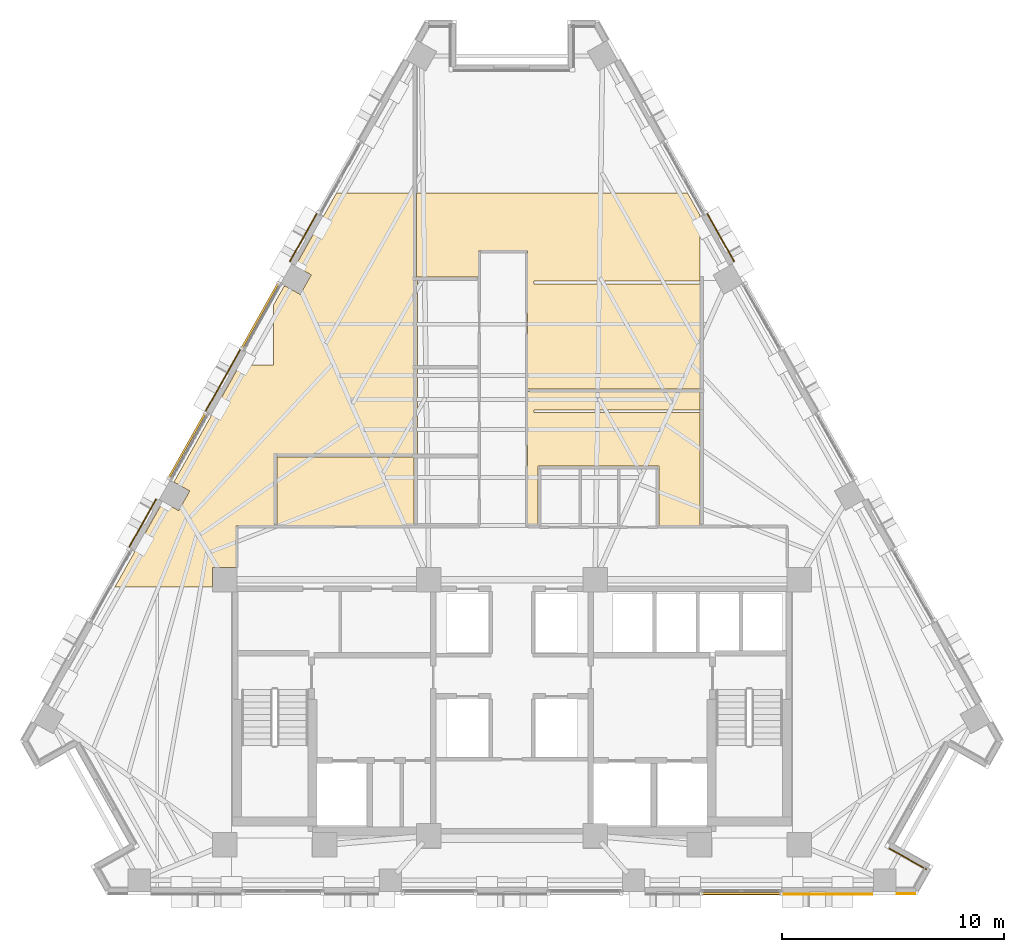
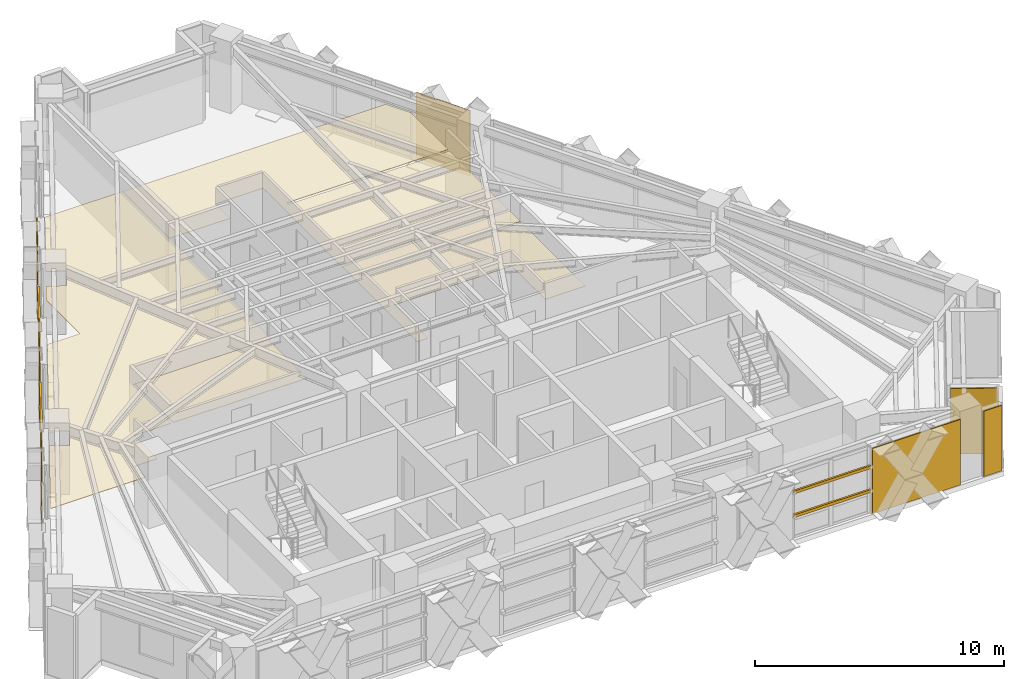
# One storey, part 12 of 14: 11 coverings, 6 shading devices.
"""IFC4 building model written with IfcOpenShell, lengths in metres."""

import ifcopenshell
import ifcopenshell.guid

model = None  # the IFC model being written
_history = None  # IfcOwnerHistory: only IFC2X3 demands one
_inside = {}  # id of a spatial element -> (the spatial element, [elements in it])
_under = {}  # id of a project, library or spatial element -> (it, [spatial elements below it])
_declared = {}  # id of a project -> (the project, [libraries it declares])
_typed = {}  # id of a type object -> (the type object, [elements of that type])
_made_of = {}  # id of a material, layer set ... -> (it, [elements and type objects made of it])


def new_model(schema):
    """Start an empty IFC model of exactly this schema.

    Asked for "IFC4X3", IfcOpenShell would pick the latest addendum, in which some entities
    have other attributes; the version numbers below select the first issue.
    IFC2X3 requires an IfcOwnerHistory on every rooted entity: one is made here for all.
    """
    global model, _history
    if schema == "IFC4X3":
        model = ifcopenshell.file(schema_version=(4, 3, 0, 0))
    else:
        model = ifcopenshell.file(schema=schema)
    _inside.clear()
    _under.clear()
    _declared.clear()
    _typed.clear()
    _made_of.clear()
    _history = None
    if model.schema == "IFC2X3":
        org = make("IfcOrganization", Name="unknown")
        user = make(
            "IfcPersonAndOrganization",
            ThePerson=make("IfcPerson", FamilyName="unknown"),
            TheOrganization=org,
        )
        app = make(
            "IfcApplication",
            ApplicationDeveloper=org,
            Version="unknown",
            ApplicationFullName="unknown",
            ApplicationIdentifier="unknown",
        )
        _history = make(
            "IfcOwnerHistory",
            OwningUser=user,
            OwningApplication=app,
            ChangeAction="ADDED",
            CreationDate=0,
        )
    return model


def make(cls, **values):
    """One entity of the class cls with the attributes given. An attribute that is None is left unset."""
    return model.create_entity(
        cls, **{name: value for name, value in values.items() if value is not None}
    )


def rooted(cls, **values):
    """An entity with a GlobalId (a new one), such as an element, a storey or a relation."""
    return make(cls, GlobalId=ifcopenshell.guid.new(), OwnerHistory=_history, **values)


def si_unit(unit_type, name, prefix=None):
    """IfcSIUnit, for example si_unit("LENGTHUNIT", "METRE", prefix="MILLI")."""
    return make("IfcSIUnit", UnitType=unit_type, Prefix=prefix, Name=name)


def assignment(units):
    """IfcUnitAssignment: the units of a project."""
    return None if units is None else make("IfcUnitAssignment", Units=units)


def point(xyz):
    """IfcCartesianPoint."""
    return None if xyz is None else make("IfcCartesianPoint", Coordinates=xyz)


def direction(xyz):
    """IfcDirection."""
    return None if xyz is None else make("IfcDirection", DirectionRatios=xyz)


def frame(location, z_axis=None, x_axis=None):
    """IfcAxis2Placement3D, a coordinate frame: its origin and axes. An axis left out is left unset."""
    return make(
        "IfcAxis2Placement3D",
        Location=point(location),
        Axis=direction(z_axis),
        RefDirection=direction(x_axis),
    )


def frame_2d(location, x_axis=None):
    """IfcAxis2Placement2D, a coordinate frame in the plane: its origin and x axis."""
    return make(
        "IfcAxis2Placement2D", Location=point(location), RefDirection=direction(x_axis)
    )


def origin():
    """The frame at (0, 0, 0) with its axes left unset."""
    return frame((0.0, 0.0, 0.0))


def origin_2d():
    """The frame at (0, 0) in the plane with its x axis left unset."""
    return frame_2d((0.0, 0.0))


def place(relative_to, where):
    """IfcLocalPlacement: puts the frame where relative to a parent placement (None: the world)."""
    return make(
        "IfcLocalPlacement", PlacementRelTo=relative_to, RelativePlacement=where
    )


def context(
    kind, dimensions, precision=None, world=None, true_north=None, identifier=None
):
    """IfcGeometricRepresentationContext, for example the 3D "Model" context."""
    return make(
        "IfcGeometricRepresentationContext",
        ContextIdentifier=identifier,
        ContextType=kind,
        CoordinateSpaceDimension=dimensions,
        Precision=precision,
        WorldCoordinateSystem=world,
        TrueNorth=true_north,
    )


def subcontext(parent, identifier, kind, view, scale=None):
    """IfcGeometricRepresentationSubContext, for example "Body" below "Model"."""
    return make(
        "IfcGeometricRepresentationSubContext",
        ContextIdentifier=identifier,
        ContextType=kind,
        ParentContext=parent,
        TargetScale=scale,
        TargetView=view,
    )


def project(units=None, contexts=None):
    """IfcProject with its units and contexts."""
    return rooted(
        "IfcProject",
        Name="project",
        RepresentationContexts=contexts,
        UnitsInContext=assignment(units),
    )


def spatial(cls, under=None, at=None, **own):
    """A site, building, storey or space (cls), placed at a placement, below another one or the project."""
    s = rooted(cls, ObjectPlacement=at, **own)
    if under is not None:
        _under.setdefault(under.id(), (under, []))[1].append(s)
    return s


def polyline(points):
    """IfcPolyline through the points."""
    return make("IfcPolyline", Points=[point(p) for p in points])


def profile(cls, at=None, kind="AREA", **sizes):
    """A parametric profile (cls). Its sizes go by their IFC names, for example OverallWidth=200.0."""
    return make(cls, ProfileType=kind, Position=at, **sizes)


def rectangle(**sizes):
    """IfcRectangleProfileDef."""
    return profile("IfcRectangleProfileDef", **sizes)


def outline(outer, holes=None, kind="AREA"):
    """IfcArbitraryClosedProfileDef: a profile drawn as a closed curve; with holes, ...WithVoids."""
    if holes is None:
        return make("IfcArbitraryClosedProfileDef", ProfileType=kind, OuterCurve=outer)
    return make(
        "IfcArbitraryProfileDefWithVoids",
        ProfileType=kind,
        OuterCurve=outer,
        InnerCurves=holes,
    )


def extrude(swept, where, along, depth):
    """IfcExtrudedAreaSolid: the profile swept, set in the frame where, extruded along a direction by depth."""
    return make(
        "IfcExtrudedAreaSolid",
        SweptArea=swept,
        Position=where,
        ExtrudedDirection=direction(along),
        Depth=depth,
    )


def shape(context_of_items, identifier, shape_type, items):
    """IfcShapeRepresentation: the items that make up one representation, for example the "Body"."""
    return make(
        "IfcShapeRepresentation",
        ContextOfItems=context_of_items,
        RepresentationIdentifier=identifier,
        RepresentationType=shape_type,
        Items=items,
    )


def material(Name=None, Category=None):
    """IfcMaterial."""
    return make("IfcMaterial", Name=Name, Category=Category)


def layer(
    of_material, thickness, ventilated=None, Name=None, Category=None, Priority=None
):
    """IfcMaterialLayer: one layer of a wall or slab, of a material (None: an air gap)."""
    return make(
        "IfcMaterialLayer",
        Material=of_material,
        LayerThickness=thickness,
        IsVentilated=ventilated,
        Name=Name,
        Category=Category,
        Priority=Priority,
    )


def layer_set(layers, Name=None):
    """IfcMaterialLayerSet."""
    return make("IfcMaterialLayerSet", MaterialLayers=layers, LayerSetName=Name)


def material_profile(
    of_material, cross_section, Name=None, Category=None, Priority=None
):
    """IfcMaterialProfile: a cross section and its material."""
    return make(
        "IfcMaterialProfile",
        Name=Name,
        Material=of_material,
        Profile=cross_section,
        Priority=Priority,
        Category=Category,
    )


def profile_set(profiles, Name=None, composite=None):
    """IfcMaterialProfileSet."""
    return make(
        "IfcMaterialProfileSet",
        Name=Name,
        MaterialProfiles=profiles,
        CompositeProfile=composite,
    )


def made_of(thing, what):
    """Note that an element or type object is made of a material, layer set ...; save() writes the relation."""
    if what is not None:
        _made_of.setdefault(what.id(), (what, []))[1].append(thing)
    return thing


def type_object(cls, material=None, **own):
    """A type object (cls), such as IfcWallType, which elements share."""
    return made_of(rooted(cls, **own), material)


def element(
    cls,
    number,
    at=None,
    inside=None,
    cuts=None,
    type_object=None,
    material=None,
    context=None,
    identifier="Body",
    shape_type=None,
    held_by="IfcProductDefinitionShape",
    body=None,
    shapes=None,
    **own,
):
    """One element of the class cls, such as IfcWall. Its Tag is "e" and its number.

    at: its placement. inside: the storey or other place that contains it. cuts: it is an
    opening in that element (IfcRelVoidsElement). A single representation is given by context,
    identifier, shape_type and body (its items); several are given by shapes. held_by: the class
    of the entity that holds the representations. save() writes the other relations.
    """
    e = rooted(cls, Tag="e%d" % number, ObjectPlacement=at, **own)
    if body is not None:
        shapes = [shape(context, identifier, shape_type, body)]
    if shapes is not None:
        e.Representation = make(held_by, Representations=shapes)
    if inside is not None:
        _inside.setdefault(inside.id(), (inside, []))[1].append(e)
    if cuts is not None:
        rooted(
            "IfcRelVoidsElement", RelatingBuildingElement=cuts, RelatedOpeningElement=e
        )
    if type_object is not None:
        _typed.setdefault(type_object.id(), (type_object, []))[1].append(e)
    return made_of(e, material)


def aggregate(whole, parts):
    """IfcRelAggregates: a whole, such as a stair, and the parts it consists of."""
    return rooted("IfcRelAggregates", RelatingObject=whole, RelatedObjects=parts)


def save(model, path):
    """Write the relations noted so far, then the file.

    IfcRelAggregates (storeys below a building ...), IfcRelContainedInSpatialStructure (elements
    in a storey), IfcRelDefinesByType, IfcRelAssociatesMaterial and IfcRelDeclares: one each for
    every whole, place, type object, material and project.
    """
    for whole, parts in _under.values():
        aggregate(whole, parts)
    for where, things in _inside.values():
        rooted(
            "IfcRelContainedInSpatialStructure",
            RelatedElements=things,
            RelatingStructure=where,
        )
    for kind, things in _typed.values():
        rooted("IfcRelDefinesByType", RelatedObjects=things, RelatingType=kind)
    for what, things in _made_of.values():
        rooted("IfcRelAssociatesMaterial", RelatedObjects=things, RelatingMaterial=what)
    for by, libraries in _declared.values():
        rooted("IfcRelDeclares", RelatingContext=by, RelatedDefinitions=libraries)
    model.write(path)


model = new_model("IFC4")

# Units and contexts
model_context = context("Model", 3, precision=1e-05, world=origin(), true_north=direction((0.0, 1.0)))
body_context = subcontext(model_context, "Body", "Model", "MODEL_VIEW")
ifc_project = project(units=[si_unit("LENGTHUNIT", "METRE"), si_unit("AREAUNIT", "SQUARE_METRE"), si_unit("VOLUMEUNIT", "CUBIC_METRE"), si_unit("PLANEANGLEUNIT", "RADIAN"), si_unit("MASSUNIT", "GRAM", prefix="KILO")], contexts=[model_context])

# Site, building, storey
site_placement = place(None, origin())
site = spatial("IfcSite", under=ifc_project, at=site_placement, CompositionType="ELEMENT")
building_placement = place(site_placement, origin())
building = spatial("IfcBuilding", under=site, at=building_placement, Name="Quenlor Broadcast Tower", CompositionType="ELEMENT")
storey_placement = place(building_placement, frame((0.0, 0.0, 144.0)))
storey = spatial("IfcBuildingStorey", under=building, at=storey_placement, Name="L39", CompositionType="ELEMENT", Elevation=144.0)

# Coverings
ifc_material_1 = material(Name="Acoustic Mineral Fibre Board", Category="other")
ifc_layer_1 = layer(ifc_material_1, 0.02490234375)
ifc_layer_set_1 = layer_set([ifc_layer_1], Name="Acoustic Perforated Mineral Tile Ceiling 25")
covering_type_1 = type_object("IfcCoveringType", Name="Acoustic Perforated Mineral Tile Ceiling 25", PredefinedType="CEILING", material=ifc_layer_set_1)
covering_1_placement = place(storey_placement, frame((0.0, 0.0, 2.375)))
element("IfcCovering", 1, at=covering_1_placement, inside=storey, type_object=covering_type_1, Name="L39 Acoustic Ceiling L39-28", PredefinedType="CEILING", context=body_context, shape_type="SweptSolid", body=[
    extrude(outline(polyline([(8.47998046875, 11.630859375), (8.47998046875, 8.659912109375), (1.0, 8.659912109375), (1.0, 8.5400390625), (8.47998046875, 8.5400390625), (8.47998046875, 3.81005859375), (0.699951171875, 3.81005859375), (0.699951171875, 10.030029296875), (-1.5, 10.030029296875), (-1.5, 8.860107421875), (-4.300048828125, 8.860107421875), (-4.300048828125, 12.64990234375), (7.90673828125, 12.64990234375), (8.47998046875, 11.630859375)])), origin(), (0.0, 0.0, 1.0), 0.02490234375),
])
covering_2_placement = place(storey_placement, frame((0.0, 0.0, 2.375)))
element("IfcCovering", 2, at=covering_2_placement, inside=storey, type_object=covering_type_1, Name="L39 Acoustic Ceiling L39-31", PredefinedType="CEILING", context=body_context, shape_type="SweptSolid", body=[
    extrude(outline(polyline([(8.47998046875, 2.739990234375), (8.47998046875, -2.3701171875), (6.6201171875, -2.3701171875), (6.6201171875, 0.320068359375), (1.179931640625, 0.320068359375), (1.179931640625, -2.3701171875), (0.699951171875, -2.3701171875), (0.699951171875, 3.68994140625), (8.47998046875, 3.68994140625), (8.47998046875, 2.860107421875), (1.0, 2.860107421875), (1.0, 2.739990234375), (8.47998046875, 2.739990234375)])), origin(), (0.0, 0.0, 1.0), 0.02490234375),
])
covering_3_placement = place(storey_placement, frame((0.0, 0.0, 2.375)))
element("IfcCovering", 3, at=covering_3_placement, inside=storey, type_object=covering_type_1, Name="L39 Acoustic Ceiling L39-32", PredefinedType="CEILING", context=body_context, shape_type="SweptSolid", body=[
    extrude(outline(polyline([(-4.419921875, -2.3701171875), (-10.60009765625, -2.3701171875), (-10.60009765625, 0.739990234375), (-4.419921875, 0.739990234375), (-4.419921875, -2.3701171875)])), origin(), (0.0, 0.0, 1.0), 0.02490234375),
])
covering_4_placement = place(storey_placement, frame((0.0, 0.0, 2.375)))
element("IfcCovering", 4, at=covering_4_placement, inside=storey, type_object=covering_type_1, Name="L39 Acoustic Ceiling L39-34", PredefinedType="CEILING", context=body_context, shape_type="SweptSolid", body=[
    extrude(outline(polyline([(-4.281494140625, 8.802490234375), (-4.276611328125, 8.783447265625), (-4.270751953125, 8.754638671875), (-4.27001953125, 4.860107421875), (-4.27294921875, 4.830810546875), (-4.281494140625, 4.802490234375), (-4.276611328125, 4.783447265625), (-4.270751953125, 4.754638671875), (-4.27001953125, 0.860107421875), (-4.27294921875, 0.830810546875), (-4.281494140625, 0.802490234375), (-4.29541015625, 0.776611328125), (-4.31396484375, 0.75390625), (-4.336669921875, 0.7353515625), (-4.362548828125, 0.721435546875), (-4.390625, 0.712890625), (-4.419921875, 0.7099609375), (-10.60009765625, 0.7099609375), (-10.62939453125, 0.712890625), (-10.657470703125, 0.721435546875), (-10.676513671875, 0.716552734375), (-10.705322265625, 0.710693359375), (-10.719970703125, -2.3701171875), (-12.43994140625, -2.3701171875), (-12.43994140625, -4.241943359375), (-13.508056640625, -4.241943359375), (-13.508056640625, -5.1201171875), (-15.93994140625, -5.1201171875), (-16.06005859375, -5.1201171875), (-17.90234375, -5.1201171875), (-15.7431640625, -1.281494140625), (-15.0302734375, -1.6826171875), (-14.5322265625, -0.797119140625), (-15.2451171875, -0.39599609375), (-12.271728515625, 4.889892578125), (-10.75, 4.889892578125), (-10.75, 7.595458984375), (-10.26220703125, 8.46240234375), (-9.54931640625, 8.0615234375), (-9.05126953125, 8.947021484375), (-9.76416015625, 9.347900390625), (-7.90673828125, 12.64990234375), (-4.27001953125, 12.64990234375), (-4.27001953125, 8.860107421875), (-4.27294921875, 8.830810546875), (-4.281494140625, 8.802490234375)])), origin(), (0.0, 0.0, 1.0), 0.02490234375),
])

# Shading devices
ifc_material_2 = material(Name="Architectural Terracotta Ceramic", Category="masonry")
ifc_material_profile = material_profile(ifc_material_2, rectangle(XDim=0.090087890625, YDim=0.139892578125, at=origin_2d()))
ifc_profile_set = profile_set([ifc_material_profile], Name="Architectural Terracotta Ceramic BAG90x140")
shading_device_type = type_object("IfcShadingDeviceType", Name="Copper Terracotta Baguette Solar Screen 140", PredefinedType="USERDEFINED", material=ifc_profile_set)
for number, where, z_axis, x_axis, name in (
    (5, (12.114013671875, -18.952880859375, 1.169921875), (-1.0, 0.0, 0.0), (0.0, -1.0, 0.0), "L39 Terracotta Baguette Screen 1"),
    (6, (12.114013671875, -18.952880859375, 2.340087890625), (-1.0, 0.0, 0.0), (0.0, -1.0, 0.0), "L39 Terracotta Baguette Screen 2"),
):
    element("IfcShadingDevice", number, at=place(storey_placement, frame(where, z_axis=z_axis, x_axis=x_axis)), inside=storey, type_object=shading_device_type, Name=name, ObjectType="BAGUETTE", PredefinedType="USERDEFINED", context=body_context, shape_type="SweptSolid", body=[
        extrude(rectangle(XDim=0.090087890625, YDim=0.139892578125, at=origin_2d()), origin(), (0.0, 0.0, 1.0), 3.56396484375),
    ])
for number, where, z_axis, x_axis, name in (
    (7, (-15.4775390625, -0.211181640625, 1.169921875), (0.490288918116, 0.871559967399, 0.0), (-0.871559967399, 0.490288918116, 0.0), "L39 Terracotta Baguette Screen 1"),
    (8, (-15.4775390625, -0.211181640625, 2.340087890625), (0.490288918116, 0.871559967399, 0.0), (-0.871559967399, 0.490288918116, 0.0), "L39 Terracotta Baguette Screen 2"),
    (9, (-12.18310546875, 5.64501953125, 1.169921875), (0.490257780007, 0.871577483155, 0.0), (-0.871577483155, 0.490257780007, 0.0), "L39 Terracotta Baguette Screen 1"),
    (10, (-12.18310546875, 5.64501953125, 2.340087890625), (0.490257780007, 0.871577483155, 0.0), (-0.871577483155, 0.490257780007, 0.0), "L39 Terracotta Baguette Screen 2"),
):
    element("IfcShadingDevice", number, at=place(storey_placement, frame(where, z_axis=z_axis, x_axis=x_axis)), inside=storey, type_object=shading_device_type, Name=name, ObjectType="BAGUETTE", PredefinedType="USERDEFINED", context=body_context, shape_type="SweptSolid", body=[
        extrude(rectangle(XDim=0.090087890625, YDim=0.139892578125, at=origin_2d()), origin(), (0.0, 0.0, 1.0), 3.350341796875),
    ])

# Coverings
ifc_material_3 = material(Name="Architectural Terracotta Ceramic", Category="masonry")
ifc_layer_2 = layer(ifc_material_3, 0.044921875)
ifc_layer_set_2 = layer_set([ifc_layer_2], Name="Fluted Terracotta Rainscreen Cladding Panel")
covering_type_2 = type_object("IfcCoveringType", Name="Fluted Terracotta Rainscreen Cladding Panel", PredefinedType="CLADDING", material=ifc_layer_set_2)
covering_5_placement = place(storey_placement, frame((0.0, 0.0, 0.02001953125)))
element("IfcCovering", 11, at=covering_5_placement, inside=storey, type_object=covering_type_2, Name="L39 Terracotta Rainscreen Cladding L39-SHD-SS0", PredefinedType="CLADDING", context=body_context, shape_type="SweptSolid", body=[
    extrude(outline(polyline([(18.179931640625, -18.93701171875), (17.343505859375, -18.93701171875), (17.343505859375, -18.98193359375), (18.179931640625, -18.98193359375), (18.179931640625, -18.93701171875)])), origin(), (0.0, 0.0, 1.0), 3.2099609375),
])
covering_6_placement = place(storey_placement, frame((0.0, 0.0, 0.02001953125)))
element("IfcCovering", 12, at=covering_6_placement, inside=storey, type_object=covering_type_2, Name="L39 Terracotta Rainscreen Cladding L39-SA-SP1", PredefinedType="CLADDING", context=body_context, shape_type="SweptSolid", body=[
    extrude(outline(polyline([(16.25341796875, -18.95703125), (12.178955078125, -18.95703125), (12.178955078125, -19.001953125), (16.25341796875, -19.001953125), (16.25341796875, -18.95703125)])), origin(), (0.0, 0.0, 1.0), 3.2099609375),
])
covering_7_placement = place(storey_placement, frame((0.0, 0.0, 0.02001953125)))
element("IfcCovering", 13, at=covering_7_placement, inside=storey, type_object=covering_type_2, Name="L39 Terracotta Rainscreen Cladding L39-NEA-SP2", PredefinedType="CLADDING", context=body_context, shape_type="SweptSolid", body=[
    extrude(outline(polyline([(8.7705078125, 11.720458984375), (10.0, 9.53466796875), (10.039306640625, 9.556640625), (8.809814453125, 11.742431640625), (8.7705078125, 11.720458984375)])), origin(), (0.0, 0.0, 1.0), 3.2099609375),
])
covering_8_placement = place(storey_placement, frame((0.0, 0.0, 0.02001953125)))
element("IfcCovering", 14, at=covering_8_placement, inside=storey, type_object=covering_type_2, Name="L39 Terracotta Rainscreen Cladding L39-NWA-SP2", PredefinedType="CLADDING", context=body_context, shape_type="SweptSolid", body=[
    extrude(outline(polyline([(-17.254638671875, -3.362548828125), (-16.025146484375, -1.1767578125), (-16.064453125, -1.15478515625), (-17.2939453125, -3.340576171875), (-17.254638671875, -3.362548828125)])), origin(), (0.0, 0.0, 1.0), 3.2099609375),
])
covering_9_placement = place(storey_placement, frame((0.0, 0.0, 0.02001953125)))
element("IfcCovering", 15, at=covering_9_placement, inside=storey, type_object=covering_type_2, Name="L39 Terracotta Rainscreen Cladding L39-NWC-SP1", PredefinedType="CLADDING", context=body_context, shape_type="SweptSolid", body=[
    extrude(outline(polyline([(-10.0, 9.53466796875), (-8.7705078125, 11.720458984375), (-8.809814453125, 11.742431640625), (-10.039306640625, 9.556640625), (-10.0, 9.53466796875)])), origin(), (0.0, 0.0, 1.0), 3.2099609375),
])
covering_10_placement = place(storey_placement, frame((0.0, 0.0, 0.02001953125)))
element("IfcCovering", 16, at=covering_10_placement, inside=storey, type_object=covering_type_2, Name="L39 Terracotta Rainscreen Cladding L39-NW-SP1", PredefinedType="CLADDING", context=body_context, shape_type="SweptSolid", body=[
    extrude(outline(polyline([(-13.806396484375, 2.767333984375), (-12.218505859375, 5.59033203125), (-12.2578125, 5.6123046875), (-13.845703125, 2.789306640625), (-13.806396484375, 2.767333984375)])), origin(), (0.0, 0.0, 1.0), 3.2099609375),
])
covering_11_placement = place(storey_placement, frame((0.0, 0.0, 0.02001953125)))
element("IfcCovering", 17, at=covering_11_placement, inside=storey, type_object=covering_type_2, Name="L39 Terracotta Rainscreen Cladding L39-CNR-01", PredefinedType="CLADDING", context=body_context, shape_type="SweptSolid", body=[
    extrude(outline(polyline([(18.702880859375, -17.8427734375), (17.011962890625, -16.8916015625), (16.989990234375, -16.930908203125), (18.680908203125, -17.882080078125), (18.702880859375, -17.8427734375)])), origin(), (0.0, 0.0, 1.0), 3.2099609375),
])

save(model, "model.ifc")
